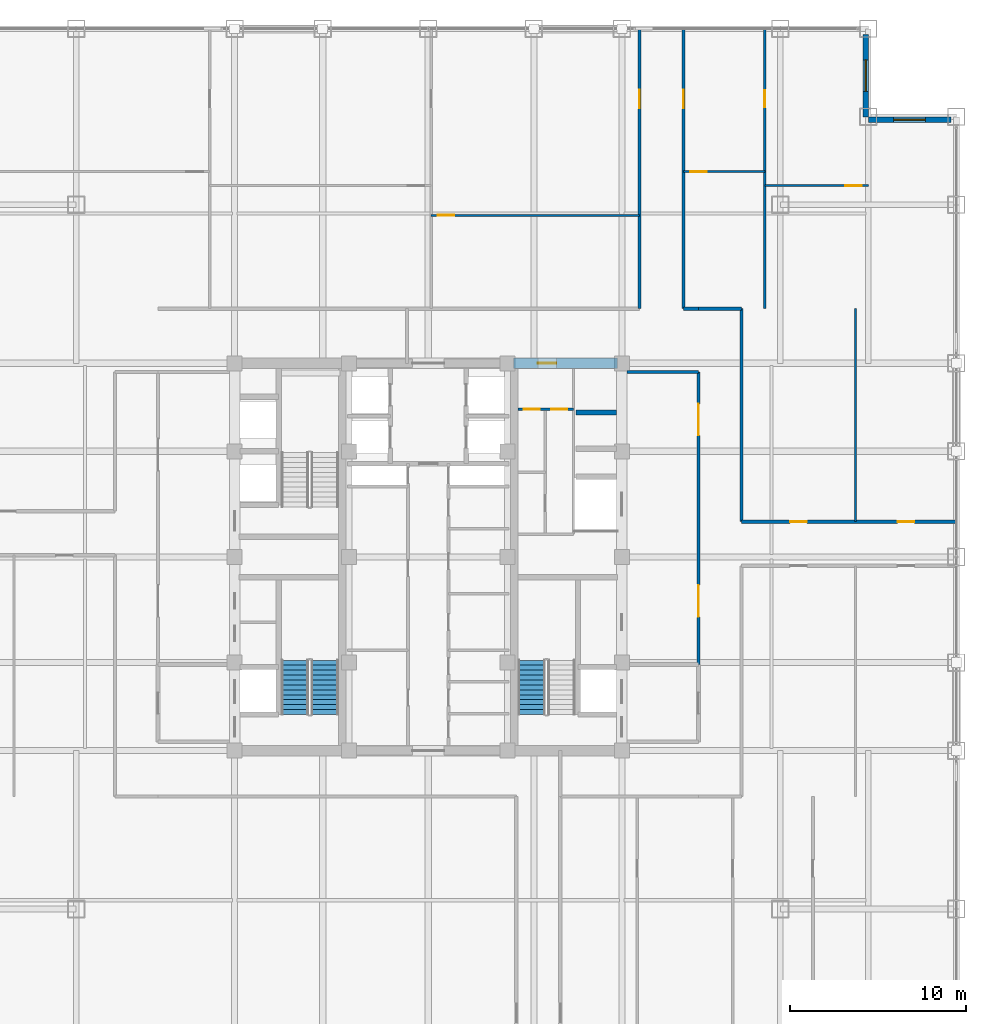
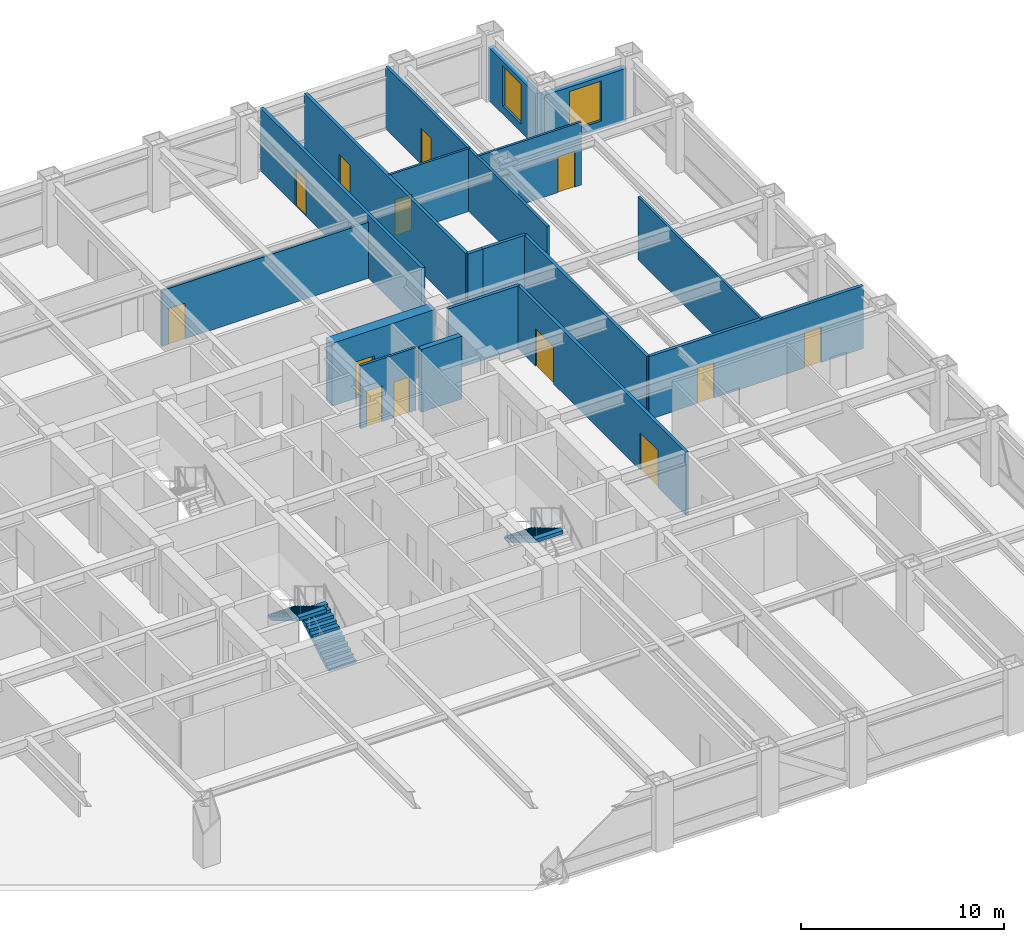
# One storey, part 23 of 25: 18 walls, 13 doors, 3 stair flights, 2 windows, 15 openings, 2 elements without a shape of their own.
"""IFC4 building model written with IfcOpenShell, lengths in metres."""

from ifc_helpers import new_model, si_unit, direction, frame, frame_2d, origin, place, context, subcontext, project, spatial, polyline, rectangle, outline, extrude, source, transform, mapped, material, layer, layer_set, type_object, element, fill, aggregate, save


model = new_model("IFC4")

# Units and contexts
model_context = context("Model", 3, precision=1e-05, world=origin(), true_north=direction((0.0, 1.0)))
body_context = subcontext(model_context, "Body", "Model", "MODEL_VIEW")
ifc_project = project(units=[si_unit("LENGTHUNIT", "METRE"), si_unit("AREAUNIT", "SQUARE_METRE"), si_unit("VOLUMEUNIT", "CUBIC_METRE"), si_unit("PLANEANGLEUNIT", "RADIAN"), si_unit("MASSUNIT", "GRAM", prefix="KILO")], contexts=[model_context])

# Site, building, storey
site_placement = place(None, origin())
site = spatial("IfcSite", under=ifc_project, at=site_placement, CompositionType="ELEMENT")
building_placement = place(site_placement, origin())
building = spatial("IfcBuilding", under=site, at=building_placement, Name="Khorayat Bourse Tower", CompositionType="ELEMENT")
storey_placement = place(building_placement, frame((0.0, 0.0, 227.10009765625)))
storey = spatial("IfcBuildingStorey", under=building, at=storey_placement, Name="L53", CompositionType="ELEMENT", Elevation=227.10009765625)

# Wall, opening, door
ifc_material_1 = material(Name="Concrete C60/75", Category="concrete")
ifc_layer_1 = layer(ifc_material_1, 0.60009765625)
ifc_layer_set_1 = layer_set([ifc_layer_1], Name="Concrete C60/75")
wall_type_1 = type_object("IfcWallType", Name="WAL-CORE-600", PredefinedType="SHEAR", material=ifc_layer_set_1)
shared_shape_1 = source(origin(), body_context, "Body", "SweptSolid", [
    extrude(rectangle(XDim=5.89990234375, YDim=0.60009765625, at=frame_2d((2.949951171875, 0.0))), origin(), (0.0, 0.0, 1.0), 3.77978515625),
])
wall_1_placement = place(storey_placement, frame((4.85009765625, 11.0, 0.0), z_axis=(0.0, 0.0, 1.0), x_axis=(1.0, 0.0, 0.0)))
wall_1 = element("IfcWall", 1, at=wall_1_placement, inside=storey, type_object=wall_type_1, Name="L53 Core Shear Wall PIER-EN", PredefinedType="SHEAR", context=body_context, shape_type="MappedRepresentation", body=[
    mapped(shared_shape_1, transform((0.0, 0.0, 0.0), scale=1.0)),
])
shared_shape_2 = source(origin(), body_context, "Body", "SweptSolid", [
    extrude(rectangle(XDim=1.050048828125, YDim=2.199951171875, at=frame_2d((0.52490234375, 1.10009765625))), frame((0.0, 0.31005859375, 0.0), z_axis=(0.0, -1.0, 0.0), x_axis=(1.0, 0.0, 0.0)), (0.0, 0.0, 1.0), 0.6201171875),
])
opening_1_placement = place(wall_1_placement, frame((1.375, 0.0, 0.0)))
opening_1 = element("IfcOpeningElement", 2, at=opening_1_placement, cuts=wall_1, Name="Opening DI-04", PredefinedType="OPENING", context=body_context, shape_type="MappedRepresentation", body=[
    mapped(shared_shape_2, transform((0.0, 0.0, 0.0), scale=1.0)),
])
ifc_material_2 = material(Name="Fire-rated oak veneer suite entrance door")
door_type_1 = type_object("IfcDoorType", Name="DR-INT-SUITE-1050", OperationType="NOTDEFINED", PredefinedType="DOOR", material=ifc_material_2)
shared_shape_3 = source(origin(), body_context, "Body", "SweptSolid", [
    extrude(rectangle(XDim=1.050048828125, YDim=2.199951171875, at=frame_2d((0.52490234375, 1.10009765625))), frame((0.0, 0.02490234375, 0.0), z_axis=(0.0, -1.0, 0.0), x_axis=(1.0, 0.0, 0.0)), (0.0, 0.0, 1.0), 0.050048828125),
])
door_1_placement = place(opening_1_placement, origin())
door_1 = element("IfcDoor", 3, at=door_1_placement, inside=storey, type_object=door_type_1, Name="L53 Core Washroom Lobby Door", OperationType="SINGLE_SWING_LEFT", OverallHeight=2.199951171875, OverallWidth=1.050048828125, PredefinedType="DOOR", context=body_context, shape_type="MappedRepresentation", body=[
    mapped(shared_shape_3, transform((0.0, 0.0, 0.0), scale=1.0)),
])
fill(opening_1, door_1)

# Wall, opening, window
ifc_material_3 = material(Name="Precast concrete C45/55", Category="concrete")
ifc_layer_2 = layer(ifc_material_3, 0.320068359375)
ifc_layer_set_2 = layer_set([ifc_layer_2], Name="Precast concrete C45/55")
wall_type_2 = type_object("IfcWallType", Name="WAL-EXT-STONE-320", PredefinedType="STANDARD", material=ifc_layer_set_2)
shared_shape_4 = source(origin(), body_context, "Body", "SweptSolid", [
    extrude(rectangle(XDim=4.679931640625, YDim=0.320068359375, at=frame_2d((2.33984375, 0.0))), origin(), (0.0, 0.0, 1.0), 3.163818359375),
])
wall_2_placement = place(storey_placement, frame((25.0, 24.840087890625, 0.0), z_axis=(0.0, 0.0, 1.0), x_axis=(1.0, 0.0, 0.0)))
wall_2 = element("IfcWall", 4, at=wall_2_placement, inside=storey, type_object=wall_type_2, Name="L53 Re-Entrant Notch Limestone Wall NE-H", PredefinedType="STANDARD", context=body_context, shape_type="MappedRepresentation", body=[
    mapped(shared_shape_4, transform((0.0, 0.0, 0.0), scale=1.0)),
])
shared_shape_5 = source(origin(), body_context, "Body", "SweptSolid", [
    extrude(rectangle(XDim=1.800048828125, YDim=2.39990234375, at=frame_2d((0.89990234375, 1.199951171875))), frame((0.0, 0.169921875, 0.0), z_axis=(0.0, -1.0, 0.0), x_axis=(1.0, 0.0, 0.0)), (0.0, 0.0, 1.0), 0.340087890625),
])
opening_2_placement = place(wall_2_placement, frame((1.43994140625, 0.0, 0.5)))
opening_2 = element("IfcOpeningElement", 5, at=opening_2_placement, cuts=wall_2, Name="Opening WN-04", PredefinedType="OPENING", context=body_context, shape_type="MappedRepresentation", body=[
    mapped(shared_shape_5, transform((0.0, 0.0, 0.0), scale=1.0)),
])
ifc_material_4 = material(Name="Low-E acoustic laminated double glazing", Category="glass")
window_type = type_object("IfcWindowType", Name="WIN-NOTCH-1800x2400", PartitioningType="SINGLE_PANEL", PredefinedType="WINDOW", material=ifc_material_4)
shared_shape_6 = source(origin(), body_context, "Body", "SweptSolid", [
    extrude(rectangle(XDim=1.800048828125, YDim=2.39990234375, at=frame_2d((0.89990234375, 1.199951171875))), frame((0.0, 0.030029296875, 0.0), z_axis=(0.0, -1.0, 0.0), x_axis=(1.0, 0.0, 0.0)), (0.0, 0.0, 1.0), 0.06005859375),
])
window_1_placement = place(opening_2_placement, origin())
window_1 = element("IfcWindow", 6, at=window_1_placement, inside=storey, type_object=window_type, Name="L53 Facade Window 1", OverallHeight=2.39990234375, OverallWidth=1.800048828125, PartitioningType="SINGLE_PANEL", PredefinedType="WINDOW", context=body_context, shape_type="MappedRepresentation", body=[
    mapped(shared_shape_6, transform((0.0, 0.0, 0.0), scale=1.0)),
])
fill(opening_2, window_1)

wall_3_placement = place(storey_placement, frame((24.840087890625, 25.0, 0.0), z_axis=(0.0, 0.0, 1.0), x_axis=(0.0, 1.0, 0.0)))
wall_3 = element("IfcWall", 7, at=wall_3_placement, inside=storey, type_object=wall_type_2, Name="L53 Re-Entrant Notch Limestone Wall NE-V", PredefinedType="STANDARD", context=body_context, shape_type="MappedRepresentation", body=[
    mapped(shared_shape_4, transform((0.0, 0.0, 0.0), scale=1.0)),
])
opening_3_placement = place(wall_3_placement, frame((1.43994140625, 0.0, 0.5)))
opening_3 = element("IfcOpeningElement", 8, at=opening_3_placement, cuts=wall_3, Name="Opening WN-04", PredefinedType="OPENING", context=body_context, shape_type="MappedRepresentation", body=[
    mapped(shared_shape_5, transform((0.0, 0.0, 0.0), scale=1.0)),
])
window_2_placement = place(opening_3_placement, origin())
window_2 = element("IfcWindow", 9, at=window_2_placement, inside=storey, type_object=window_type, Name="L53 Facade Window 1", OverallHeight=2.39990234375, OverallWidth=1.800048828125, PartitioningType="SINGLE_PANEL", PredefinedType="WINDOW", context=body_context, shape_type="MappedRepresentation", body=[
    mapped(shared_shape_6, transform((0.0, 0.0, 0.0), scale=1.0)),
])
fill(opening_3, window_2)

# Wall
ifc_material_5 = material(Name="Concrete C50/60", Category="concrete")
ifc_layer_3 = layer(ifc_material_5, 0.300048828125)
ifc_layer_set_3 = layer_set([ifc_layer_3], Name="Concrete C50/60")
wall_type_3 = type_object("IfcWallType", Name="WAL-SHAFT-300", PredefinedType="SHEAR", material=ifc_layer_set_3)
shared_shape_7 = source(origin(), body_context, "Body", "SweptSolid", [
    extrude(rectangle(XDim=2.300048828125, YDim=0.300048828125, at=frame_2d((1.14990234375, 0.0))), origin(), (0.0, 0.0, 1.0), 3.77978515625),
])
wall_4_placement = place(storey_placement, frame((8.39990234375, 8.199951171875, 0.0), z_axis=(0.0, 0.0, 1.0), x_axis=(1.0, 0.0, 0.0)))
element("IfcWall", 10, at=wall_4_placement, inside=storey, type_object=wall_type_3, Name="L53 Partition WAL-L53-EPIER-H34", PredefinedType="SHEAR", context=body_context, shape_type="MappedRepresentation", body=[
    mapped(shared_shape_7, transform((0.0, 0.0, 0.0), scale=1.0)),
])

# Wall, openings, doors
ifc_material_6 = material(Name="Moisture-resistant masonry partition", Category="masonry")
ifc_layer_4 = layer(ifc_material_6, 0.139892578125)
ifc_layer_set_4 = layer_set([ifc_layer_4], Name="Moisture-resistant masonry partition")
wall_type_4 = type_object("IfcWallType", Name="WAL-PART-WET-140", PredefinedType="PARTITIONING", material=ifc_layer_set_4)
shared_shape_8 = source(origin(), body_context, "Body", "SweptSolid", [
    extrude(rectangle(XDim=3.14990234375, YDim=0.139892578125, at=frame_2d((1.574951171875, 0.0))), origin(), (0.0, 0.0, 1.0), 3.77978515625),
])
wall_5_placement = place(storey_placement, frame((5.10009765625, 8.39990234375, 0.0), z_axis=(0.0, 0.0, 1.0), x_axis=(1.0, 0.0, 0.0)))
wall_5 = element("IfcWall", 11, at=wall_5_placement, inside=storey, type_object=wall_type_4, Name="L53 Partition WAL-L53-ECW-TOP", PredefinedType="PARTITIONING", context=body_context, shape_type="MappedRepresentation", body=[
    mapped(shared_shape_8, transform((0.0, 0.0, 0.0), scale=1.0)),
])
shared_shape_9 = source(origin(), body_context, "Body", "SweptSolid", [
    extrude(rectangle(XDim=0.89990234375, YDim=2.14990234375, at=frame_2d((0.449951171875, 1.074951171875))), frame((0.0, 0.079833984375, 0.0), z_axis=(0.0, -1.0, 0.0), x_axis=(1.0, 0.0, 0.0)), (0.0, 0.0, 1.0), 0.159912109375),
])
opening_4_placement = place(wall_5_placement, frame((0.330078125, 0.0, 0.0)))
opening_4 = element("IfcOpeningElement", 12, at=opening_4_placement, cuts=wall_5, Name="Opening DI-06", PredefinedType="OPENING", context=body_context, shape_type="MappedRepresentation", body=[
    mapped(shared_shape_9, transform((0.0, 0.0, 0.0), scale=1.0)),
])
opening_5_placement = place(wall_5_placement, frame((1.89990234375, 0.0, 0.0)))
opening_5 = element("IfcOpeningElement", 13, at=opening_5_placement, cuts=wall_5, Name="Opening DI-06", PredefinedType="OPENING", context=body_context, shape_type="MappedRepresentation", body=[
    mapped(shared_shape_9, transform((0.0, 0.0, 0.0), scale=1.0)),
])
ifc_material_7 = material(Name="Moisture-resistant laminate washroom door")
door_type_2 = type_object("IfcDoorType", Name="DR-INT-WC-900", OperationType="NOTDEFINED", PredefinedType="DOOR", material=ifc_material_7)
shared_shape_10 = source(origin(), body_context, "Body", "SweptSolid", [
    extrude(rectangle(XDim=0.89990234375, YDim=2.14990234375, at=frame_2d((0.449951171875, 1.074951171875))), frame((0.0, 0.02490234375, 0.0), z_axis=(0.0, -1.0, 0.0), x_axis=(1.0, 0.0, 0.0)), (0.0, 0.0, 1.0), 0.050048828125),
])
door_2_placement = place(opening_4_placement, origin())
door_2 = element("IfcDoor", 14, at=door_2_placement, inside=storey, type_object=door_type_2, Name="L53 Accessible WC Door", OperationType="SINGLE_SWING_LEFT", OverallHeight=2.14990234375, OverallWidth=0.89990234375, PredefinedType="DOOR", context=body_context, shape_type="MappedRepresentation", body=[
    mapped(shared_shape_10, transform((0.0, 0.0, 0.0), scale=1.0)),
])
fill(opening_4, door_2)
door_3_placement = place(opening_5_placement, origin())
door_3 = element("IfcDoor", 15, at=door_3_placement, inside=storey, type_object=door_type_2, Name="L53 Shared Washroom Door", OperationType="SINGLE_SWING_RIGHT", OverallHeight=2.14990234375, OverallWidth=0.89990234375, PredefinedType="DOOR", context=body_context, shape_type="MappedRepresentation", body=[
    mapped(shared_shape_10, transform((0.0, 0.0, 0.0), scale=1.0)),
])
fill(opening_5, door_3)

# Wall
ifc_material_8 = material(Name="Gypsum plasterboard acoustic stud wall")
ifc_layer_5 = layer(ifc_material_8, 0.179931640625)
ifc_layer_set_5 = layer_set([ifc_layer_5], Name="Gypsum plasterboard acoustic stud wall")
wall_type_5 = type_object("IfcWallType", Name="WAL-PART-CORR-180", PredefinedType="PARTITIONING", material=ifc_layer_set_5)
shared_shape_11 = source(origin(), body_context, "Body", "SweptSolid", [
    extrude(rectangle(XDim=4.050048828125, YDim=0.179931640625, at=frame_2d((2.02490234375, 0.0))), origin(), (0.0, 0.0, 1.0), 3.77978515625),
])
wall_6_placement = place(storey_placement, frame((11.300048828125, 10.5, 0.0), z_axis=(0.0, 0.0, 1.0), x_axis=(1.0, 0.0, 0.0)))
element("IfcWall", 16, at=wall_6_placement, inside=storey, type_object=wall_type_5, Name="L53 Partition WAL-L53-ELOB-N", PredefinedType="PARTITIONING", context=body_context, shape_type="MappedRepresentation", body=[
    mapped(shared_shape_11, transform((0.0, 0.0, 0.0), scale=1.0)),
])

# Wall, openings, doors
shared_shape_12 = source(origin(), body_context, "Body", "SweptSolid", [
    extrude(rectangle(XDim=16.60009765625, YDim=0.179931640625, at=frame_2d((8.300048828125, 0.0))), origin(), (0.0, 0.0, 1.0), 3.77978515625),
])
wall_7_placement = place(storey_placement, frame((15.35009765625, -6.10009765625, 0.0), z_axis=(0.0, 0.0, 1.0), x_axis=(0.0, 1.0, 0.0)))
wall_7 = element("IfcWall", 17, at=wall_7_placement, inside=storey, type_object=wall_type_5, Name="L53 Partition WAL-L53-ELOB-E", PredefinedType="PARTITIONING", context=body_context, shape_type="MappedRepresentation", body=[
    mapped(shared_shape_12, transform((0.0, 0.0, 0.0), scale=1.0)),
])
shared_shape_13 = source(origin(), body_context, "Body", "SweptSolid", [
    extrude(rectangle(XDim=1.800048828125, YDim=2.25, at=frame_2d((0.89990234375, 1.125))), frame((0.0, 0.099853515625, 0.0), z_axis=(0.0, -1.0, 0.0), x_axis=(1.0, 0.0, 0.0)), (0.0, 0.0, 1.0), 0.199951171875),
])
opening_6_placement = place(wall_7_placement, frame((2.699951171875, 0.0, 0.0)))
opening_6 = element("IfcOpeningElement", 18, at=opening_6_placement, cuts=wall_7, Name="Opening DI-03", PredefinedType="OPENING", context=body_context, shape_type="MappedRepresentation", body=[
    mapped(shared_shape_13, transform((0.0, 0.0, 0.0), scale=1.0)),
])
opening_7_placement = place(wall_7_placement, frame((13.0, 0.0, 0.0)))
opening_7 = element("IfcOpeningElement", 19, at=opening_7_placement, cuts=wall_7, Name="Opening DI-03", PredefinedType="OPENING", context=body_context, shape_type="MappedRepresentation", body=[
    mapped(shared_shape_13, transform((0.0, 0.0, 0.0), scale=1.0)),
])
ifc_material_9 = material(Name="Fire-rated hardwood vision-panel double leaf", Category="wood")
door_type_3 = type_object("IfcDoorType", Name="DR-INT-CORR-1800", OperationType="NOTDEFINED", PredefinedType="DOOR", material=ifc_material_9)
shared_shape_14 = source(origin(), body_context, "Body", "SweptSolid", [
    extrude(rectangle(XDim=1.800048828125, YDim=2.25, at=frame_2d((0.89990234375, 1.125))), frame((0.0, 0.02490234375, 0.0), z_axis=(0.0, -1.0, 0.0), x_axis=(1.0, 0.0, 0.0)), (0.0, 0.0, 1.0), 0.050048828125),
])
door_4_placement = place(opening_6_placement, origin())
door_4 = element("IfcDoor", 20, at=door_4_placement, inside=storey, type_object=door_type_3, Name="L53 East Core Lobby South Door", OperationType="SINGLE_SWING_RIGHT", OverallHeight=2.25, OverallWidth=1.800048828125, PredefinedType="DOOR", context=body_context, shape_type="MappedRepresentation", body=[
    mapped(shared_shape_14, transform((0.0, 0.0, 0.0), scale=1.0)),
])
fill(opening_6, door_4)
door_5_placement = place(opening_7_placement, origin())
door_5 = element("IfcDoor", 21, at=door_5_placement, inside=storey, type_object=door_type_3, Name="L53 East Core Lobby North Door", OperationType="SINGLE_SWING_LEFT", OverallHeight=2.25, OverallWidth=1.800048828125, PredefinedType="DOOR", context=body_context, shape_type="MappedRepresentation", body=[
    mapped(shared_shape_14, transform((0.0, 0.0, 0.0), scale=1.0)),
])
fill(opening_7, door_5)

# Walls
shared_shape_15 = source(origin(), body_context, "Body", "SweptSolid", [
    extrude(rectangle(XDim=2.449951171875, YDim=0.179931640625, at=frame_2d((1.22509765625, 0.0))), origin(), (0.0, 0.0, 1.0), 3.77978515625),
])
wall_8_placement = place(storey_placement, frame((15.35009765625, 14.10009765625, 0.0), z_axis=(0.0, 0.0, 1.0), x_axis=(1.0, 0.0, 0.0)))
element("IfcWall", 22, at=wall_8_placement, inside=storey, type_object=wall_type_5, Name="L53 Partition WAL-L53-C2-EN", PredefinedType="PARTITIONING", context=body_context, shape_type="MappedRepresentation", body=[
    mapped(shared_shape_15, transform((0.0, 0.0, 0.0), scale=1.0)),
])
shared_shape_16 = source(origin(), body_context, "Body", "SweptSolid", [
    extrude(rectangle(XDim=0.85009765625, YDim=0.179931640625, at=frame_2d((0.425048828125, 0.0))), origin(), (0.0, 0.0, 1.0), 3.77978515625),
])
wall_9_placement = place(storey_placement, frame((14.5, 14.10009765625, 0.0), z_axis=(0.0, 0.0, 1.0), x_axis=(1.0, 0.0, 0.0)))
element("IfcWall", 23, at=wall_9_placement, inside=storey, type_object=wall_type_5, Name="L53 Partition WAL-L53-QNE-HC", PredefinedType="PARTITIONING", context=body_context, shape_type="MappedRepresentation", body=[
    mapped(shared_shape_16, transform((0.0, 0.0, 0.0), scale=1.0)),
])

# Wall, openings, doors
shared_shape_17 = source(origin(), body_context, "Body", "SweptSolid", [
    extrude(rectangle(XDim=12.199951171875, YDim=0.179931640625, at=frame_2d((6.10009765625, 0.0))), origin(), (0.0, 0.0, 1.0), 3.77978515625),
])
wall_10_placement = place(storey_placement, frame((17.800048828125, 2.0, 0.0), z_axis=(0.0, 0.0, 1.0), x_axis=(1.0, 0.0, 0.0)))
wall_10 = element("IfcWall", 24, at=wall_10_placement, inside=storey, type_object=wall_type_5, Name="L53 Partition WAL-L53-EN-SPK", PredefinedType="PARTITIONING", context=body_context, shape_type="MappedRepresentation", body=[
    mapped(shared_shape_17, transform((0.0, 0.0, 0.0), scale=1.0)),
])
shared_shape_18 = source(origin(), body_context, "Body", "SweptSolid", [
    extrude(rectangle(XDim=0.949951171875, YDim=2.14990234375, at=frame_2d((0.47509765625, 1.074951171875))), frame((0.0, 0.099853515625, 0.0), z_axis=(0.0, -1.0, 0.0), x_axis=(1.0, 0.0, 0.0)), (0.0, 0.0, 1.0), 0.199951171875),
])
opening_8_placement = place(wall_10_placement, frame((2.758056640625, 0.0, 0.0)))
opening_8 = element("IfcOpeningElement", 25, at=opening_8_placement, cuts=wall_10, Name="Opening DI-05", PredefinedType="OPENING", context=body_context, shape_type="MappedRepresentation", body=[
    mapped(shared_shape_18, transform((0.0, 0.0, 0.0), scale=1.0)),
])
opening_9_placement = place(wall_10_placement, frame((8.85791015625, 0.0, 0.0)))
opening_9 = element("IfcOpeningElement", 26, at=opening_9_placement, cuts=wall_10, Name="Opening DI-05", PredefinedType="OPENING", context=body_context, shape_type="MappedRepresentation", body=[
    mapped(shared_shape_18, transform((0.0, 0.0, 0.0), scale=1.0)),
])
ifc_material_10 = material(Name="Acoustic oak veneer office door")
door_type_4 = type_object("IfcDoorType", Name="DR-INT-OFFICE-950", OperationType="NOTDEFINED", PredefinedType="DOOR", material=ifc_material_10)
shared_shape_19 = source(origin(), body_context, "Body", "SweptSolid", [
    extrude(rectangle(XDim=0.949951171875, YDim=2.14990234375, at=frame_2d((0.47509765625, 1.074951171875))), frame((0.0, 0.02490234375, 0.0), z_axis=(0.0, -1.0, 0.0), x_axis=(1.0, 0.0, 0.0)), (0.0, 0.0, 1.0), 0.050048828125),
])
door_6_placement = place(opening_8_placement, origin())
door_6 = element("IfcDoor", 27, at=door_6_placement, inside=storey, type_object=door_type_4, Name="L53 Staff Tea Pantry ENA Door", OperationType="SINGLE_SWING_LEFT", OverallHeight=2.14990234375, OverallWidth=0.949951171875, PredefinedType="DOOR", context=body_context, shape_type="MappedRepresentation", body=[
    mapped(shared_shape_19, transform((0.0, 0.0, 0.0), scale=1.0)),
])
fill(opening_8, door_6)
door_7_placement = place(opening_9_placement, origin())
door_7 = element("IfcDoor", 28, at=door_7_placement, inside=storey, type_object=door_type_4, Name="L53 Quantitative Research Study ENB Door", OperationType="SINGLE_SWING_RIGHT", OverallHeight=2.14990234375, OverallWidth=0.949951171875, PredefinedType="DOOR", context=body_context, shape_type="MappedRepresentation", body=[
    mapped(shared_shape_19, transform((0.0, 0.0, 0.0), scale=1.0)),
])
fill(opening_9, door_7)

# Wall, opening, door
shared_shape_20 = source(origin(), body_context, "Body", "SweptSolid", [
    extrude(rectangle(XDim=15.89990234375, YDim=0.179931640625, at=frame_2d((7.949951171875, 0.0))), origin(), (0.0, 0.0, 1.0), 3.77978515625),
])
wall_11_placement = place(storey_placement, frame((12.0, 14.10009765625, 0.0), z_axis=(0.0, 0.0, 1.0), x_axis=(0.0, 1.0, 0.0)))
wall_11 = element("IfcWall", 29, at=wall_11_placement, inside=storey, type_object=wall_type_5, Name="L53 Partition WAL-L53-QNW-SPK", PredefinedType="PARTITIONING", context=body_context, shape_type="MappedRepresentation", body=[
    mapped(shared_shape_20, transform((0.0, 0.0, 0.0), scale=1.0)),
])
shared_shape_21 = source(origin(), body_context, "Body", "SweptSolid", [
    extrude(rectangle(XDim=1.050048828125, YDim=2.199951171875, at=frame_2d((0.52490234375, 1.10009765625))), frame((0.0, 0.099853515625, 0.0), z_axis=(0.0, -1.0, 0.0), x_axis=(1.0, 0.0, 0.0)), (0.0, 0.0, 1.0), 0.199951171875),
])
opening_10_placement = place(wall_11_placement, frame((11.39990234375, 0.0, 0.0)))
opening_10 = element("IfcOpeningElement", 30, at=opening_10_placement, cuts=wall_11, Name="Opening DI-04", PredefinedType="OPENING", context=body_context, shape_type="MappedRepresentation", body=[
    mapped(shared_shape_21, transform((0.0, 0.0, 0.0), scale=1.0)),
])
door_8_placement = place(opening_10_placement, origin())
door_8 = element("IfcDoor", 31, at=door_8_placement, inside=storey, type_object=door_type_1, Name="L53 North-West Radial Spoke Entry", OperationType="SINGLE_SWING_LEFT", OverallHeight=2.199951171875, OverallWidth=1.050048828125, PredefinedType="DOOR", context=body_context, shape_type="MappedRepresentation", body=[
    mapped(shared_shape_3, transform((0.0, 0.0, 0.0), scale=1.0)),
])
fill(opening_10, door_8)

wall_12_placement = place(storey_placement, frame((14.5, 14.10009765625, 0.0), z_axis=(0.0, 0.0, 1.0), x_axis=(0.0, 1.0, 0.0)))
wall_12 = element("IfcWall", 32, at=wall_12_placement, inside=storey, type_object=wall_type_5, Name="L53 Partition WAL-L53-QNE-SPK", PredefinedType="PARTITIONING", context=body_context, shape_type="MappedRepresentation", body=[
    mapped(shared_shape_20, transform((0.0, 0.0, 0.0), scale=1.0)),
])
opening_11_placement = place(wall_12_placement, frame((11.39990234375, 0.0, 0.0)))
opening_11 = element("IfcOpeningElement", 33, at=opening_11_placement, cuts=wall_12, Name="Opening DI-04", PredefinedType="OPENING", context=body_context, shape_type="MappedRepresentation", body=[
    mapped(shared_shape_21, transform((0.0, 0.0, 0.0), scale=1.0)),
])
door_9_placement = place(opening_11_placement, origin())
door_9 = element("IfcDoor", 34, at=door_9_placement, inside=storey, type_object=door_type_1, Name="L53 North-East Radial Spoke Entry", OperationType="SINGLE_SWING_LEFT", OverallHeight=2.199951171875, OverallWidth=1.050048828125, PredefinedType="DOOR", context=body_context, shape_type="MappedRepresentation", body=[
    mapped(shared_shape_3, transform((0.0, 0.0, 0.0), scale=1.0)),
])
fill(opening_11, door_9)

ifc_material_11 = material(Name="Gypsum plasterboard twin-frame partition")
ifc_layer_6 = layer(ifc_material_11, 0.14990234375)
ifc_layer_set_6 = layer_set([ifc_layer_6], Name="Gypsum plasterboard twin-frame partition")
wall_type_6 = type_object("IfcWallType", Name="WAL-PART-SUITE-150", PredefinedType="PARTITIONING", material=ifc_layer_set_6)
shared_shape_22 = source(origin(), body_context, "Body", "SweptSolid", [
    extrude(rectangle(XDim=15.89990234375, YDim=0.14990234375, at=frame_2d((7.949951171875, 0.0))), origin(), (0.0, 0.0, 1.0), 3.77978515625),
])
wall_13_placement = place(storey_placement, frame((19.1201171875, 14.10009765625, 0.0), z_axis=(0.0, 0.0, 1.0), x_axis=(0.0, 1.0, 0.0)))
wall_13 = element("IfcWall", 35, at=wall_13_placement, inside=storey, type_object=wall_type_6, Name="L53 Partition WAL-L53-QNEDV-1", PredefinedType="PARTITIONING", context=body_context, shape_type="MappedRepresentation", body=[
    mapped(shared_shape_22, transform((0.0, 0.0, 0.0), scale=1.0)),
])
shared_shape_23 = source(origin(), body_context, "Body", "SweptSolid", [
    extrude(rectangle(XDim=0.949951171875, YDim=2.14990234375, at=frame_2d((0.47509765625, 1.074951171875))), frame((0.0, 0.0849609375, 0.0), z_axis=(0.0, -1.0, 0.0), x_axis=(1.0, 0.0, 0.0)), (0.0, 0.0, 1.0), 0.169921875),
])
opening_12_placement = place(wall_13_placement, frame((11.449951171875, 0.0, 0.0)))
opening_12 = element("IfcOpeningElement", 36, at=opening_12_placement, cuts=wall_13, Name="Opening DI-05", PredefinedType="OPENING", context=body_context, shape_type="MappedRepresentation", body=[
    mapped(shared_shape_23, transform((0.0, 0.0, 0.0), scale=1.0)),
])
door_10_placement = place(opening_12_placement, origin())
door_10 = element("IfcDoor", 37, at=door_10_placement, inside=storey, type_object=door_type_4, Name="L53 North-East Suite Link 1", OperationType="SINGLE_SWING_RIGHT", OverallHeight=2.14990234375, OverallWidth=0.949951171875, PredefinedType="DOOR", context=body_context, shape_type="MappedRepresentation", body=[
    mapped(shared_shape_19, transform((0.0, 0.0, 0.0), scale=1.0)),
])
fill(opening_12, door_10)

# Wall
shared_shape_24 = source(origin(), body_context, "Body", "SweptSolid", [
    extrude(rectangle(XDim=12.10009765625, YDim=0.179931640625, at=frame_2d((6.050048828125, 0.0))), origin(), (0.0, 0.0, 1.0), 3.77978515625),
])
wall_14_placement = place(storey_placement, frame((17.800048828125, 2.0, 0.0), z_axis=(0.0, 0.0, 1.0), x_axis=(0.0, 1.0, 0.0)))
element("IfcWall", 38, at=wall_14_placement, inside=storey, type_object=wall_type_5, Name="L53 Partition WAL-L53-EN-IN", PredefinedType="PARTITIONING", context=body_context, shape_type="MappedRepresentation", body=[
    mapped(shared_shape_24, transform((0.0, 0.0, 0.0), scale=1.0)),
])

# Wall, opening, door
ifc_material_12 = material(Name="Gypsum plasterboard partition")
ifc_layer_7 = layer(ifc_material_12, 0.125)
ifc_layer_set_7 = layer_set([ifc_layer_7], Name="Gypsum plasterboard partition")
wall_type_7 = type_object("IfcWallType", Name="WAL-PART-ROOM-125", PredefinedType="PARTITIONING", material=ifc_layer_set_7)
shared_shape_25 = source(origin(), body_context, "Body", "SweptSolid", [
    extrude(rectangle(XDim=11.840087890625, YDim=0.125, at=frame_2d((5.919921875, 0.0))), origin(), (0.0, 0.0, 1.0), 3.36279296875),
])
wall_15_placement = place(storey_placement, frame((0.159912109375, 19.40087890625, 0.0), z_axis=(0.0, 0.0, 1.0), x_axis=(1.0, 0.0, 0.0)))
wall_15 = element("IfcWall", 39, at=wall_15_placement, inside=storey, type_object=wall_type_7, Name="L53 Partition WAL-L53-QNWDP-3", PredefinedType="PARTITIONING", context=body_context, shape_type="MappedRepresentation", body=[
    mapped(shared_shape_25, transform((0.0, 0.0, 0.0), scale=1.0)),
])
shared_shape_26 = source(origin(), body_context, "Body", "SweptSolid", [
    extrude(rectangle(XDim=0.949951171875, YDim=2.14990234375, at=frame_2d((0.47509765625, 1.074951171875))), frame((0.0, 0.072509765625, 0.0), z_axis=(0.0, -1.0, 0.0), x_axis=(1.0, 0.0, 0.0)), (0.0, 0.0, 1.0), 0.14501953125),
])
opening_13_placement = place(wall_15_placement, frame((0.375, 0.0, 0.0)))
opening_13 = element("IfcOpeningElement", 40, at=opening_13_placement, cuts=wall_15, Name="Opening DI-05", PredefinedType="OPENING", context=body_context, shape_type="MappedRepresentation", body=[
    mapped(shared_shape_26, transform((0.0, 0.0, 0.0), scale=1.0)),
])
door_11_placement = place(opening_13_placement, origin())
door_11 = element("IfcDoor", 41, at=door_11_placement, inside=storey, type_object=door_type_4, Name="L53 North-West Issuer Listing Showroom 3B Door", OperationType="SINGLE_SWING_RIGHT", OverallHeight=2.14990234375, OverallWidth=0.949951171875, PredefinedType="DOOR", context=body_context, shape_type="MappedRepresentation", body=[
    mapped(shared_shape_19, transform((0.0, 0.0, 0.0), scale=1.0)),
])
fill(opening_13, door_11)

shared_shape_27 = source(origin(), body_context, "Body", "SweptSolid", [
    extrude(rectangle(XDim=4.6201171875, YDim=0.125, at=frame_2d((2.31005859375, 0.0))), origin(), (0.0, 0.0, 1.0), 3.77978515625),
])
wall_16_placement = place(storey_placement, frame((14.5, 21.89111328125, 0.0), z_axis=(0.0, 0.0, 1.0), x_axis=(1.0, 0.0, 0.0)))
wall_16 = element("IfcWall", 42, at=wall_16_placement, inside=storey, type_object=wall_type_7, Name="L53 Partition WAL-L53-QNEDP-1", PredefinedType="PARTITIONING", context=body_context, shape_type="MappedRepresentation", body=[
    mapped(shared_shape_27, transform((0.0, 0.0, 0.0), scale=1.0)),
])
opening_14_placement = place(wall_16_placement, frame((0.375, 0.0, 0.0)))
opening_14 = element("IfcOpeningElement", 43, at=opening_14_placement, cuts=wall_16, Name="Opening DI-05", PredefinedType="OPENING", context=body_context, shape_type="MappedRepresentation", body=[
    mapped(shared_shape_26, transform((0.0, 0.0, 0.0), scale=1.0)),
])
door_12_placement = place(opening_14_placement, origin())
door_12 = element("IfcDoor", 44, at=door_12_placement, inside=storey, type_object=door_type_4, Name="L53 North-East Executive Boardroom 1B Door", OperationType="SINGLE_SWING_RIGHT", OverallHeight=2.14990234375, OverallWidth=0.949951171875, PredefinedType="DOOR", context=body_context, shape_type="MappedRepresentation", body=[
    mapped(shared_shape_19, transform((0.0, 0.0, 0.0), scale=1.0)),
])
fill(opening_14, door_12)

shared_shape_28 = source(origin(), body_context, "Body", "SweptSolid", [
    extrude(rectangle(XDim=5.8798828125, YDim=0.125, at=frame_2d((2.93994140625, 0.0))), origin(), (0.0, 0.0, 1.0), 3.77978515625),
])
wall_17_placement = place(storey_placement, frame((19.1201171875, 21.095947265625, 0.0), z_axis=(0.0, 0.0, 1.0), x_axis=(1.0, 0.0, 0.0)))
wall_17 = element("IfcWall", 45, at=wall_17_placement, inside=storey, type_object=wall_type_7, Name="L53 Partition WAL-L53-QNEDP-2", PredefinedType="PARTITIONING", context=body_context, shape_type="MappedRepresentation", body=[
    mapped(shared_shape_28, transform((0.0, 0.0, 0.0), scale=1.0)),
])
opening_15_placement = place(wall_17_placement, frame((4.554931640625, 0.0, 0.0)))
opening_15 = element("IfcOpeningElement", 46, at=opening_15_placement, cuts=wall_17, Name="Opening DI-05", PredefinedType="OPENING", context=body_context, shape_type="MappedRepresentation", body=[
    mapped(shared_shape_26, transform((0.0, 0.0, 0.0), scale=1.0)),
])
door_13_placement = place(opening_15_placement, origin())
door_13 = element("IfcDoor", 47, at=door_13_placement, inside=storey, type_object=door_type_4, Name="L53 North-East Financial Training Classroom 2B Door", OperationType="SINGLE_SWING_LEFT", OverallHeight=2.14990234375, OverallWidth=0.949951171875, PredefinedType="DOOR", context=body_context, shape_type="MappedRepresentation", body=[
    mapped(shared_shape_19, transform((0.0, 0.0, 0.0), scale=1.0)),
])
fill(opening_15, door_13)

# Wall
shared_shape_29 = source(origin(), body_context, "Body", "SweptSolid", [
    extrude(rectangle(XDim=12.10009765625, YDim=0.125, at=frame_2d((6.050048828125, 0.0))), origin(), (0.0, 0.0, 1.0), 3.77978515625),
])
wall_18_placement = place(storey_placement, frame((24.26611328125, 2.0, 0.0), z_axis=(0.0, 0.0, 1.0), x_axis=(0.0, 1.0, 0.0)))
element("IfcWall", 48, at=wall_18_placement, inside=storey, type_object=wall_type_7, Name="L53 Partition WAL-L53-EN-DV", PredefinedType="PARTITIONING", context=body_context, shape_type="MappedRepresentation", body=[
    mapped(shared_shape_29, transform((0.0, 0.0, 0.0), scale=1.0)),
])

# Stair, stair flights
ifc_material_13 = material(Name="Concrete C40/50", Category="concrete")
stair_type = type_object("IfcStairType", Name="STR-CORE-1550", PredefinedType="HALF_TURN_STAIR", material=ifc_material_13)
stair_1_placement = place(storey_placement, origin())
stair_1 = element("IfcStair", 49, at=stair_1_placement, inside=storey, type_object=stair_type, Name="L53 Exit Stair ST-1", PredefinedType="HALF_TURN_STAIR")
stair_flight_type = type_object("IfcStairFlightType", Name="FLT-CORE-1550", PredefinedType="STRAIGHT", material=ifc_material_13)
shared_shape_30 = source(origin(), body_context, "Body", "SweptSolid", [
    extrude(outline(polyline([(0.0, 0.0), (0.0, 0.166748046875), (0.280029296875, 0.166748046875), (0.280029296875, 0.333251953125), (0.56005859375, 0.333251953125), (0.56005859375, 0.5), (0.840087890625, 0.5), (0.840087890625, 0.666748046875), (1.1201171875, 0.666748046875), (1.1201171875, 0.833251953125), (1.39990234375, 0.833251953125), (1.39990234375, 1.0), (1.679931640625, 1.0), (1.679931640625, 1.166748046875), (1.9599609375, 1.166748046875), (1.9599609375, 1.333251953125), (2.239990234375, 1.333251953125), (2.239990234375, 1.5), (2.52001953125, 1.5), (2.52001953125, 1.666748046875), (2.800048828125, 1.666748046875), (2.800048828125, 1.833251953125), (3.080078125, 1.833251953125), (3.080078125, 2.0), (3.080078125, 1.6240234375), (0.351806640625, 0.0), (0.0, 0.0)])), frame((0.0, 0.77490234375, 0.0), z_axis=(0.0, -1.0, 0.0), x_axis=(1.0, 0.0, 0.0)), (0.0, 0.0, 1.0), 1.550048828125),
])
stair_flight_1_placement = place(storey_placement, frame((-5.875, -8.949951171875, 0.0), z_axis=(0.0, 0.0, 1.0), x_axis=(0.0, 1.0, 0.0)))
stair_flight_1 = element("IfcStairFlight", 50, at=stair_flight_1_placement, type_object=stair_flight_type, Name="ST-1 flight 1", NumberOfRisers=12, NumberOfTreads=11, PredefinedType="STRAIGHT", RiserHeight=0.166666667, TreadLength=0.28, context=body_context, shape_type="MappedRepresentation", body=[
    mapped(shared_shape_30, transform((0.0, 0.0, 0.0), scale=1.0)),
])
stair_flight_2_placement = place(storey_placement, frame((-7.574951171875, -5.8701171875, 2.0), z_axis=(0.0, 0.0, 1.0), x_axis=(0.0, -1.0, 0.0)))
stair_flight_2 = element("IfcStairFlight", 51, at=stair_flight_2_placement, type_object=stair_flight_type, Name="ST-1 flight 2", NumberOfRisers=12, NumberOfTreads=11, PredefinedType="STRAIGHT", RiserHeight=0.166666667, TreadLength=0.28, context=body_context, shape_type="MappedRepresentation", body=[
    mapped(shared_shape_30, transform((0.0, 0.0, 0.0), scale=1.0)),
])
aggregate(stair_1, [stair_flight_1, stair_flight_2])

# Stair, stair flight
stair_2_placement = place(storey_placement, origin())
stair_2 = element("IfcStair", 52, at=stair_2_placement, inside=storey, type_object=stair_type, Name="L53 Exit Stair ST-3", PredefinedType="HALF_TURN_STAIR")
stair_flight_3_placement = place(storey_placement, frame((5.875, -5.8701171875, 2.0), z_axis=(0.0, 0.0, 1.0), x_axis=(0.0, -1.0, 0.0)))
stair_flight_3 = element("IfcStairFlight", 53, at=stair_flight_3_placement, type_object=stair_flight_type, Name="ST-3 flight 2", NumberOfRisers=12, NumberOfTreads=11, PredefinedType="STRAIGHT", RiserHeight=0.166666667, TreadLength=0.28, context=body_context, shape_type="MappedRepresentation", body=[
    mapped(shared_shape_30, transform((0.0, 0.0, 0.0), scale=1.0)),
])
aggregate(stair_2, [stair_flight_3])

save(model, "model.ifc")
